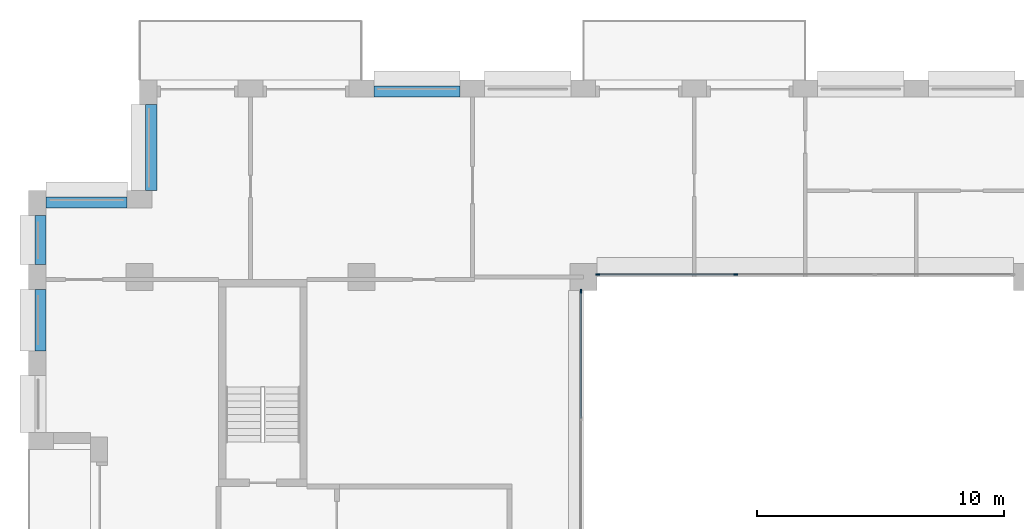
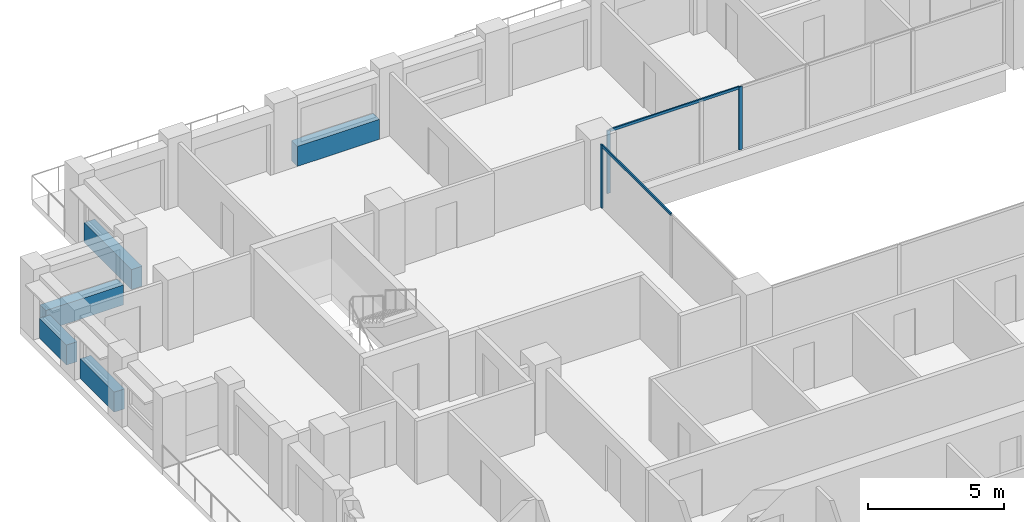
# One storey, part 5 of 15: 5 beams, 5 members, 2 elements without a shape of their own.
"""IFC4 building model written with IfcOpenShell, lengths in metres."""

from ifc_helpers import new_model, si_unit, direction, frame, origin, origin_2d, place, context, subcontext, project, spatial, rectangle, extrude, material, layer, layer_set, material_profile, profile_set, type_object, element, aggregate, save


model = new_model("IFC4")

# Units and contexts
model_context = context("Model", 3, precision=1e-05, world=origin(), true_north=direction((0.0, 1.0)))
body_context = subcontext(model_context, "Body", "Model", "MODEL_VIEW")
ifc_project = project(units=[si_unit("LENGTHUNIT", "METRE"), si_unit("AREAUNIT", "SQUARE_METRE"), si_unit("VOLUMEUNIT", "CUBIC_METRE"), si_unit("PLANEANGLEUNIT", "RADIAN"), si_unit("MASSUNIT", "GRAM", prefix="KILO")], contexts=[model_context])

# Site, building, storey
site_placement = place(None, origin())
site = spatial("IfcSite", under=ifc_project, at=site_placement, CompositionType="ELEMENT")
building_placement = place(site_placement, origin())
building = spatial("IfcBuilding", under=site, at=building_placement, Name="Brigalow Station Residences", CompositionType="ELEMENT")
storey_placement = place(building_placement, frame((0.0, 0.0, 172.800048828125)))
storey = spatial("IfcBuildingStorey", under=building, at=storey_placement, Name="L50", CompositionType="ELEMENT", Elevation=172.800048828125)

# Curtain wall, members
ifc_material_1 = material(Name="Aluminium", Category="aluminium")
ifc_layer = layer(ifc_material_1, 0.14990234375)
ifc_layer_set = layer_set([ifc_layer], Name="ATRIUM FIRE-RATED GLAZING CURTAIN WALL")
curtain_wall_type = type_object("IfcCurtainWallType", Name="ATRIUM FIRE-RATED GLAZING CURTAIN WALL", PredefinedType="NOTDEFINED", material=ifc_layer_set)
curtain_wall_1_placement = place(storey_placement, origin())
curtain_wall_1 = element("IfcCurtainWall", 1, at=curtain_wall_1_placement, inside=storey, type_object=curtain_wall_type, Name="L50/cw/atrium-N", PredefinedType="NOTDEFINED")
ifc_material_2 = material(Name="Aluminium", Category="aluminium")
ifc_material_profile_1 = material_profile(ifc_material_2, rectangle(XDim=0.06005859375, YDim=0.14990234375, at=origin_2d()), Name="ATRIUM FIRE-RATED GLAZING MULLION 60x150")
ifc_profile_set_1 = profile_set([ifc_material_profile_1], Name="Aluminium")
member_type_1 = type_object("IfcMemberType", Name="ATRIUM FIRE-RATED GLAZING MULLION 60x150", PredefinedType="MULLION", material=ifc_profile_set_1)
member_1_placement = place(storey_placement, frame((33.183349609375, 35.60009765625, 0.0), z_axis=(0.0, 0.0, 1.0), x_axis=(0.0, -1.0, 0.0)))
member_1 = element("IfcMember", 2, at=member_1_placement, type_object=member_type_1, Name="L50/cw/atrium-N/M02", PredefinedType="MULLION", context=body_context, shape_type="SweptSolid", body=[
    extrude(rectangle(XDim=0.06005859375, YDim=0.14990234375, at=origin_2d()), origin(), (0.0, 0.0, 1.0), 2.829833984375),
])
member_2_placement = place(storey_placement, frame((27.580078125, 35.60009765625, 0.0), z_axis=(0.0, 0.0, 1.0), x_axis=(0.0, -1.0, 0.0)))
member_2 = element("IfcMember", 3, at=member_2_placement, type_object=member_type_1, Name="L50/cw/atrium-N/M03", PredefinedType="MULLION", context=body_context, shape_type="SweptSolid", body=[
    extrude(rectangle(XDim=0.06005859375, YDim=0.14990234375, at=origin_2d()), origin(), (0.0, 0.0, 1.0), 2.829833984375),
])

# Curtain wall, member
curtain_wall_2_placement = place(storey_placement, origin())
curtain_wall_2 = element("IfcCurtainWall", 4, at=curtain_wall_2_placement, inside=storey, type_object=curtain_wall_type, Name="L50/cw/atrium-W", PredefinedType="NOTDEFINED")
member_3_placement = place(storey_placement, frame((26.89990234375, 34.919921875, 0.0), z_axis=(0.0, 0.0, 1.0), x_axis=(1.0, 0.0, 0.0)))
member_3 = element("IfcMember", 5, at=member_3_placement, type_object=member_type_1, Name="L50/cw/atrium-W/M00", PredefinedType="MULLION", context=body_context, shape_type="SweptSolid", body=[
    extrude(rectangle(XDim=0.06005859375, YDim=0.14990234375, at=origin_2d()), origin(), (0.0, 0.0, 1.0), 2.829833984375),
])

# Member
ifc_material_3 = material(Name="Aluminium", Category="aluminium")
ifc_material_profile_2 = material_profile(ifc_material_3, rectangle(XDim=0.06005859375, YDim=0.1201171875, at=origin_2d()), Name="ATRIUM FIRE-RATED GLAZING TRANSOM 60x120")
ifc_profile_set_2 = profile_set([ifc_material_profile_2], Name="Aluminium")
member_type_2 = type_object("IfcMemberType", Name="ATRIUM FIRE-RATED GLAZING TRANSOM 60x120", PredefinedType="USERDEFINED", material=ifc_profile_set_2)
member_4_placement = place(storey_placement, frame((33.1533203125, 35.60009765625, 2.800048828125), z_axis=(-1.0, 0.0, 0.0), x_axis=(0.0, -1.0, 0.0)))
member_4 = element("IfcMember", 6, at=member_4_placement, type_object=member_type_2, Name="L50/cw/atrium-N/T02-00", ObjectType="TRANSOM", PredefinedType="USERDEFINED", context=body_context, shape_type="SweptSolid", body=[
    extrude(rectangle(XDim=0.06005859375, YDim=0.1201171875, at=origin_2d()), origin(), (0.0, 0.0, 1.0), 5.543212890625),
])

aggregate(curtain_wall_1, [member_1, member_2, member_4])

member_5_placement = place(storey_placement, frame((26.89990234375, 34.889892578125, 2.800048828125), z_axis=(0.0, -1.0, 0.0), x_axis=(1.0, 0.0, 0.0)))
member_5 = element("IfcMember", 7, at=member_5_placement, type_object=member_type_2, Name="L50/cw/atrium-W/T00-00", ObjectType="TRANSOM", PredefinedType="USERDEFINED", context=body_context, shape_type="SweptSolid", body=[
    extrude(rectangle(XDim=0.06005859375, YDim=0.1201171875, at=origin_2d()), origin(), (0.0, 0.0, 1.0), 5.10986328125),
])

aggregate(curtain_wall_2, [member_3, member_5])

# Beams
ifc_material_4 = material(Name="Concrete C50", Category="concrete")
ifc_material_profile_3 = material_profile(ifc_material_4, rectangle(XDim=0.449951171875, YDim=0.89990234375, at=origin_2d()), Name="RC450x900")
ifc_profile_set_3 = profile_set([ifc_material_profile_3], Name="Concrete C50")
beam_type = type_object("IfcBeamType", Name="SPANDREL BEAM 450x900 C50", PredefinedType="SPANDREL", material=ifc_profile_set_3)
for number, where, z_axis, x_axis, name in (
    (8, (22.0, 43.02490234375, 0.449951171875), (-1.0, 0.0, 0.0), (0.0, -1.0, 0.0), "L50/spandrel/W-L50-32"),
    (9, (9.47509765625, 42.5, 0.449951171875), (0.0, -1.0, 0.0), (1.0, 0.0, 0.0), "L50/spandrel/W-L50-35"),
):
    element("IfcBeam", number, at=place(storey_placement, frame(where, z_axis=z_axis, x_axis=x_axis)), inside=storey, type_object=beam_type, Name=name, PredefinedType="SPANDREL", context=body_context, shape_type="SweptSolid", body=[
        extrude(rectangle(XDim=0.449951171875, YDim=0.89990234375, at=origin_2d()), origin(), (0.0, 0.0, 1.0), 3.5),
    ])
beam_1_placement = place(storey_placement, frame((8.5, 38.52490234375, 0.449951171875), z_axis=(-1.0, 0.0, 0.0), x_axis=(0.0, -1.0, 0.0)))
element("IfcBeam", 10, at=beam_1_placement, inside=storey, type_object=beam_type, Name="L50/spandrel/W-L50-36", PredefinedType="SPANDREL", context=body_context, shape_type="SweptSolid", body=[
    extrude(rectangle(XDim=0.449951171875, YDim=0.89990234375, at=origin_2d()), origin(), (0.0, 0.0, 1.0), 3.300048828125),
])
beam_2_placement = place(storey_placement, frame((4.97509765625, 38.0, 0.449951171875), z_axis=(0.0, -1.0, 0.0), x_axis=(1.0, 0.0, 0.0)))
element("IfcBeam", 11, at=beam_2_placement, inside=storey, type_object=beam_type, Name="L50/spandrel/W-L50-37", PredefinedType="SPANDREL", context=body_context, shape_type="SweptSolid", body=[
    extrude(rectangle(XDim=0.449951171875, YDim=0.89990234375, at=origin_2d()), origin(), (0.0, 0.0, 1.0), 2.0),
])
beam_3_placement = place(storey_placement, frame((4.97509765625, 35.0, 0.449951171875), z_axis=(0.0, -1.0, 0.0), x_axis=(1.0, 0.0, 0.0)))
element("IfcBeam", 12, at=beam_3_placement, inside=storey, type_object=beam_type, Name="L50/spandrel/W-L50-38", PredefinedType="SPANDREL", context=body_context, shape_type="SweptSolid", body=[
    extrude(rectangle(XDim=0.449951171875, YDim=0.89990234375, at=origin_2d()), origin(), (0.0, 0.0, 1.0), 2.5),
])

save(model, "model.ifc")
